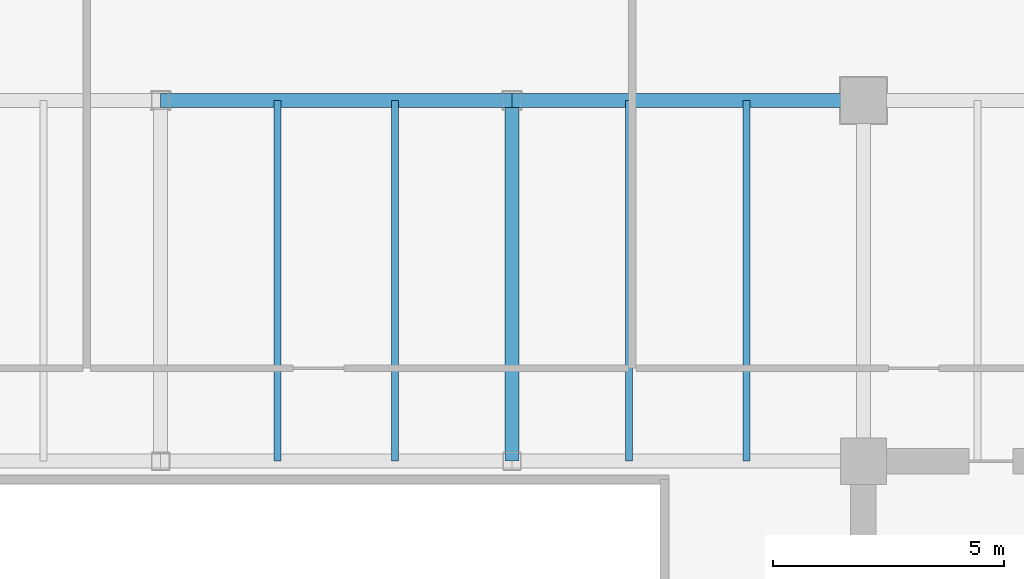
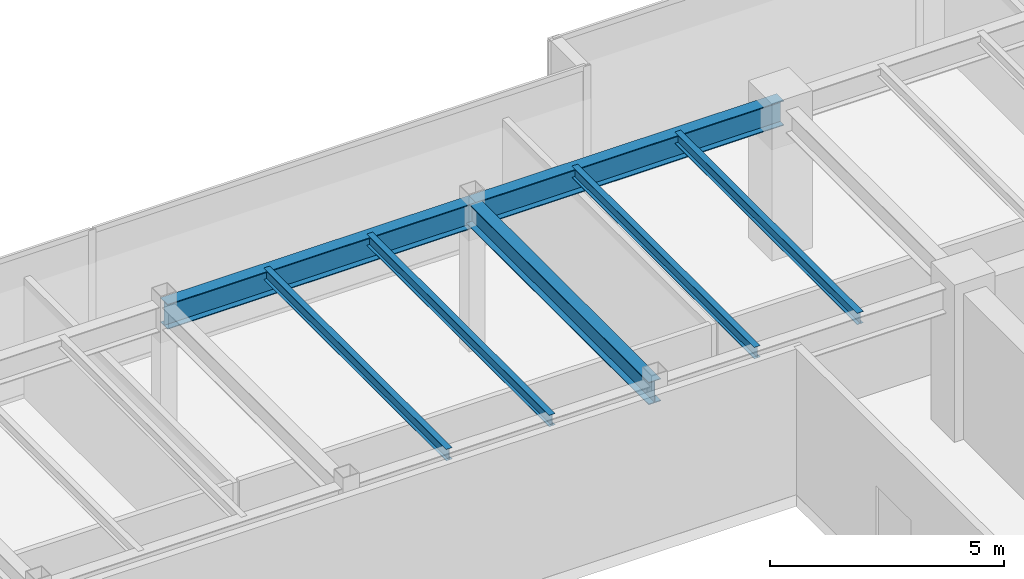
# One storey, part 18 of 35: 7 beams.
"""IFC4 building model written with IfcOpenShell, lengths in metres."""

from ifc_helpers import new_model, si_unit, direction, frame, origin, origin_2d, place, context, subcontext, project, spatial, i_section, extrude, source, transform, mapped, material, material_profile, profile_set, type_object, type_shapes, element, save


model = new_model("IFC4")

# Units and contexts
model_context = context("Model", 3, precision=1e-05, world=origin(), true_north=direction((0.0, 1.0)))
body_context = subcontext(model_context, "Body", "Model", "MODEL_VIEW")
ifc_project = project(units=[si_unit("LENGTHUNIT", "METRE"), si_unit("AREAUNIT", "SQUARE_METRE"), si_unit("VOLUMEUNIT", "CUBIC_METRE"), si_unit("PLANEANGLEUNIT", "RADIAN"), si_unit("MASSUNIT", "GRAM", prefix="KILO")], contexts=[model_context])

# Site, building, storey
site_placement = place(None, origin())
site = spatial("IfcSite", under=ifc_project, at=site_placement, CompositionType="ELEMENT")
building_placement = place(site_placement, origin())
building = spatial("IfcBuilding", under=site, at=building_placement, Name="Haelvirn Gate Laboratories", CompositionType="ELEMENT")
storey_placement = place(building_placement, frame((0.0, 0.0, 234.199951171875)))
storey = spatial("IfcBuildingStorey", under=building, at=storey_placement, Name="L56", CompositionType="ELEMENT", Elevation=234.199951171875)

# Beams
ifc_material = material(Name="Steel SM355", Category="steel")
ifc_material_profile_1 = material_profile(ifc_material, i_section(OverallWidth=0.14990234375, OverallDepth=0.300048828125, WebThickness=0.006591796875, FlangeThickness=0.009033203125, at=origin_2d()), Name="H-300x150x6.5x9")
ifc_profile_set_1 = profile_set([ifc_material_profile_1], Name="Steel SM355")
beam_type_1 = type_object("IfcBeamType", Name="BM-J-300", PredefinedType="JOIST", material=ifc_profile_set_1)
shared_shape_1 = source(origin(), body_context, "Body", "SweptSolid", [
    extrude(i_section(OverallWidth=0.14990234375, OverallDepth=0.300048828125, WebThickness=0.006591796875, FlangeThickness=0.009033203125, at=origin_2d()), origin(), (0.0, 0.0, 1.0), 7.800048828125),
])
type_shapes(beam_type_1, [shared_shape_1])
for number, where, z_axis, x_axis, name in (
    (1, (39.929931640625, 33.800048828125, 3.650146484375), (0.0, 1.0, 0.0), (-1.0, 0.0, 0.0), "L56 Composite Lab Joist North X39.93"),
    (2, (42.469970703125, 33.800048828125, 3.650146484375), (0.0, 1.0, 0.0), (-1.0, 0.0, 0.0), "L56 Composite Lab Joist North X42.47"),
    (3, (47.530029296875, 33.800048828125, 3.650146484375), (0.0, 1.0, 0.0), (-1.0, 0.0, 0.0), "L56 Composite Lab Joist North X47.53"),
    (4, (50.070068359375, 33.800048828125, 3.650146484375), (0.0, 1.0, 0.0), (-1.0, 0.0, 0.0), "L56 Composite Lab Joist North X50.07"),
):
    element("IfcBeam", number, at=place(storey_placement, frame(where, z_axis=z_axis, x_axis=x_axis)), inside=storey, type_object=beam_type_1, Name=name, PredefinedType="JOIST", context=body_context, shape_type="MappedRepresentation", body=[
        mapped(shared_shape_1, transform((0.0, 0.0, 0.0), scale=1.0)),
    ])
ifc_material_profile_2 = material_profile(ifc_material, i_section(OverallWidth=0.300048828125, OverallDepth=0.587890625, WebThickness=0.011962890625, FlangeThickness=0.02001953125, at=origin_2d()), Name="H-588x300x12x20")
ifc_profile_set_2 = profile_set([ifc_material_profile_2], Name="Steel SM355")
beam_type_2 = type_object("IfcBeamType", Name="BM-G-588", PredefinedType="BEAM", material=ifc_profile_set_2)
shared_shape_2 = source(origin(), body_context, "Body", "SweptSolid", [
    extrude(i_section(OverallWidth=0.300048828125, OverallDepth=0.587890625, WebThickness=0.011962890625, FlangeThickness=0.02001953125, at=origin_2d()), origin(), (0.0, 0.0, 1.0), 7.800048828125),
])
type_shapes(beam_type_2, [shared_shape_2])
beam_placement = place(storey_placement, frame((45.0, 33.800048828125, 3.506103515625), z_axis=(0.0, 1.0, 0.0), x_axis=(-1.0, 0.0, 0.0)))
element("IfcBeam", 5, at=beam_placement, inside=storey, type_object=beam_type_2, Name="L56 Frame Girder X45.0 (33.8-41.6)", PredefinedType="BEAM", context=body_context, shape_type="MappedRepresentation", body=[
    mapped(shared_shape_2, transform((0.0, 0.0, 0.0), scale=1.0)),
])
ifc_material_profile_3 = material_profile(ifc_material, i_section(OverallWidth=0.300048828125, OverallDepth=0.64990234375, WebThickness=0.012939453125, FlangeThickness=0.02197265625, at=origin_2d()), Name="H-650x300x13x22")
ifc_profile_set_3 = profile_set([ifc_material_profile_3], Name="Steel SM355")
beam_type_3 = type_object("IfcBeamType", Name="BM-G-650", PredefinedType="BEAM", material=ifc_profile_set_3)
shared_shape_3 = source(origin(), body_context, "Body", "SweptSolid", [
    extrude(i_section(OverallWidth=0.300048828125, OverallDepth=0.64990234375, WebThickness=0.012939453125, FlangeThickness=0.02197265625, at=origin_2d()), origin(), (0.0, 0.0, 1.0), 7.60009765625),
])
type_shapes(beam_type_3, [shared_shape_3])
for number, where, z_axis, x_axis, name in (
    (6, (37.39990234375, 41.60009765625, 3.47509765625), (1.0, 0.0, 0.0), (0.0, 1.0, 0.0), "L56 Primary Girder Y41.6 (37.4-45.0)"),
    (7, (45.0, 41.60009765625, 3.47509765625), (1.0, 0.0, 0.0), (0.0, 1.0, 0.0), "L56 Primary Girder Y41.6 (45.0-52.6)"),
):
    element("IfcBeam", number, at=place(storey_placement, frame(where, z_axis=z_axis, x_axis=x_axis)), inside=storey, type_object=beam_type_3, Name=name, PredefinedType="BEAM", context=body_context, shape_type="MappedRepresentation", body=[
        mapped(shared_shape_3, transform((0.0, 0.0, 0.0), scale=1.0)),
    ])

save(model, "model.ifc")
